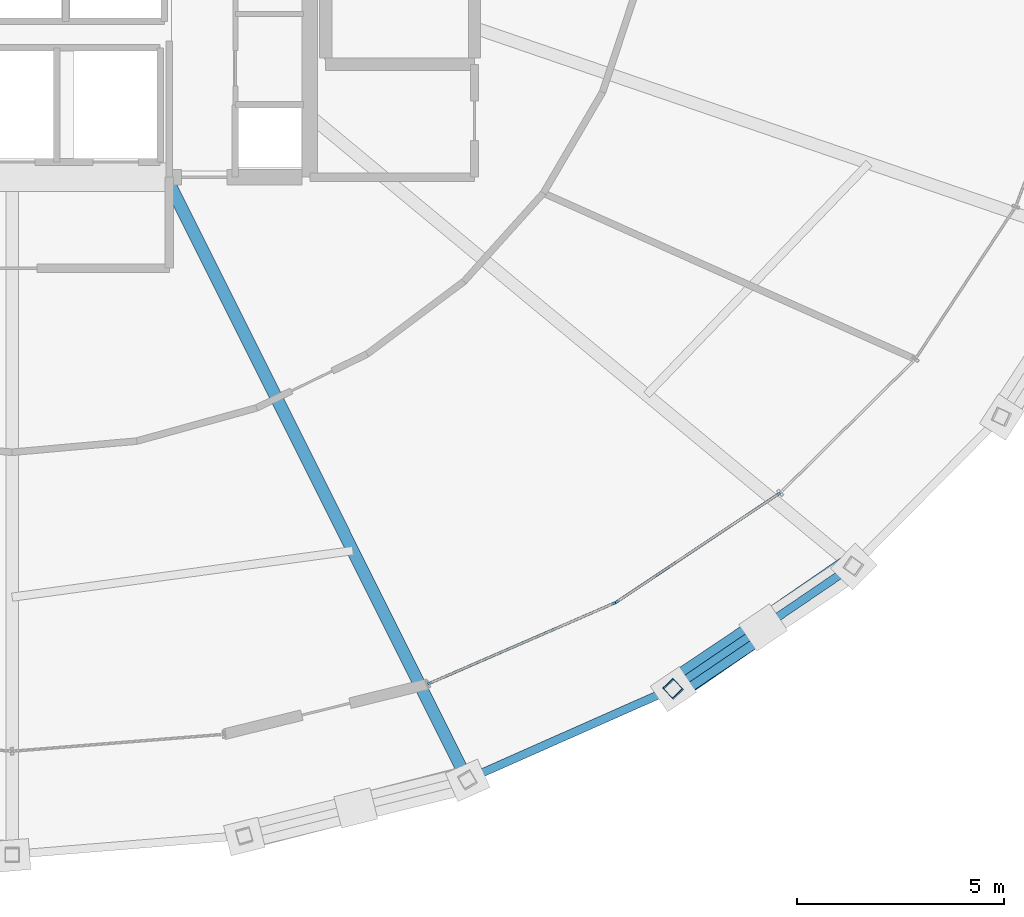
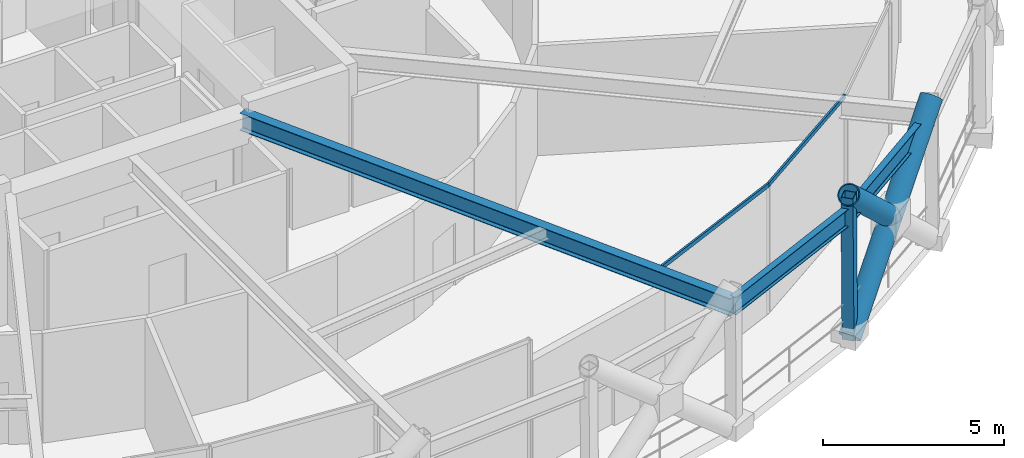
# One storey, part 12 of 39: 5 members, 3 beams, 1 element without a shape of its own.
"""IFC4 building model written with IfcOpenShell, lengths in metres."""

from ifc_helpers import new_model, si_unit, direction, frame, origin, origin_2d, place, context, subcontext, project, spatial, hollow_rectangle, hollow_circle, i_section, extrude, material, layer, layer_set, material_profile, profile_set, type_object, element, aggregate, save


model = new_model("IFC4")

# Units and contexts
model_context = context("Model", 3, precision=1e-05, world=origin(), true_north=direction((0.0, 1.0)))
body_context = subcontext(model_context, "Body", "Model", "MODEL_VIEW")
ifc_project = project(units=[si_unit("LENGTHUNIT", "METRE"), si_unit("AREAUNIT", "SQUARE_METRE"), si_unit("VOLUMEUNIT", "CUBIC_METRE"), si_unit("PLANEANGLEUNIT", "RADIAN"), si_unit("MASSUNIT", "GRAM", prefix="KILO")], contexts=[model_context])

# Site, building, storey
site_placement = place(None, origin())
site = spatial("IfcSite", under=ifc_project, at=site_placement, CompositionType="ELEMENT")
building_placement = place(site_placement, origin())
building = spatial("IfcBuilding", under=site, at=building_placement, Name="Veldorina Hangang Commons", CompositionType="ELEMENT")
storey_placement = place(building_placement, frame((0.0, 0.0, 106.0)))
storey = spatial("IfcBuildingStorey", under=building, at=storey_placement, Name="L27", CompositionType="ELEMENT", Elevation=106.0)

# Beams
ifc_material_1 = material(Name="Steel SM460-TMC", Category="steel")
ifc_material_profile_1 = material_profile(ifc_material_1, i_section(OverallWidth=0.300048828125, OverallDepth=0.587890625, WebThickness=0.011962890625, FlangeThickness=0.02001953125, FilletRadius=0.01806640625, at=origin_2d()), Name="H-588x300x12x20")
ifc_profile_set_1 = profile_set([ifc_material_profile_1], Name="Steel SM460-TMC")
beam_type_1 = type_object("IfcBeamType", Name="BM-FG588", PredefinedType="BEAM", material=ifc_profile_set_1)
beam_1_placement = place(storey_placement, frame((35.723876953125, 16.550048828125, 4.14599609375), z_axis=(0.447087617095, -0.894490169113, 0.0), x_axis=(0.894490169113, 0.447087617095, 0.0)))
element("IfcBeam", 1, at=beam_1_placement, inside=storey, type_object=beam_type_1, Name="L27 radial floor girder 14", PredefinedType="BEAM", context=body_context, shape_type="SweptSolid", body=[
    extrude(i_section(OverallWidth=0.300048828125, OverallDepth=0.587890625, WebThickness=0.011962890625, FlangeThickness=0.02001953125, FilletRadius=0.01806640625, at=origin_2d()), origin(), (0.0, 0.0, 1.0), 16.279296875),
])
ifc_material_2 = material(Name="Steel SM420-TMC", Category="steel")
ifc_material_profile_2 = material_profile(ifc_material_2, i_section(OverallWidth=0.199951171875, OverallDepth=0.60009765625, WebThickness=0.010986328125, FlangeThickness=0.01708984375, FilletRadius=0.01806640625, at=origin_2d()), Name="H-600x200x11x17")
ifc_profile_set_2 = profile_set([ifc_material_profile_2], Name="Steel SM420-TMC")
beam_type_2 = type_object("IfcBeamType", Name="BM-RB600", PredefinedType="BEAM", material=ifc_profile_set_2)
beam_2_placement = place(storey_placement, frame((43.002197265625, 1.98828125, 4.139892578125), z_axis=(0.914309006234, 0.405017334343, 0.0), x_axis=(-0.405017334343, 0.914309006234, 0.0)))
element("IfcBeam", 2, at=beam_2_placement, inside=storey, type_object=beam_type_2, Name="L27 perimeter hoop ring beam 26", PredefinedType="BEAM", context=body_context, shape_type="SweptSolid", body=[
    extrude(i_section(OverallWidth=0.199951171875, OverallDepth=0.60009765625, WebThickness=0.010986328125, FlangeThickness=0.01708984375, FilletRadius=0.01806640625, at=origin_2d()), origin(), (0.0, 0.0, 1.0), 5.4365234375),
])
beam_3_placement = place(storey_placement, frame((47.972900390625, 4.190185546875, 4.139892578125), z_axis=(0.826896335744, 0.562354381092, 0.0), x_axis=(-0.562354381092, 0.826896335744, 0.0)))
element("IfcBeam", 3, at=beam_3_placement, inside=storey, type_object=beam_type_2, Name="L27 perimeter hoop ring beam 27", PredefinedType="BEAM", context=body_context, shape_type="SweptSolid", body=[
    extrude(i_section(OverallWidth=0.199951171875, OverallDepth=0.60009765625, WebThickness=0.010986328125, FlangeThickness=0.01708984375, FilletRadius=0.01806640625, at=origin_2d()), origin(), (0.0, 0.0, 1.0), 5.268798828125),
])

# Curtain wall, members
ifc_material_3 = material(Name="Glass Acoustic Laminated", Category="glass")
ifc_layer = layer(ifc_material_3, 0.179931640625)
ifc_layer_set = layer_set([ifc_layer], Name="Glass Acoustic Laminated")
curtain_wall_type = type_object("IfcCurtainWallType", Name="CW-SYS-SKY", PredefinedType="NOTDEFINED", material=ifc_layer_set)
curtain_wall_placement = place(storey_placement, origin())
curtain_wall = element("IfcCurtainWall", 4, at=curtain_wall_placement, inside=storey, type_object=curtain_wall_type, Name="L27 unitised curtain wall CW-L27-R12", PredefinedType="NOTDEFINED")
ifc_material_4 = material(Name="Aluminium Anodized AA6063-T6", Category="aluminium")
ifc_material_profile_3 = material_profile(ifc_material_4, hollow_rectangle(XDim=0.06005859375, YDim=0.139892578125, WallThickness=0.00341796875, at=origin_2d()), Name="ALU-RHS-140x60x3.5")
ifc_profile_set_3 = profile_set([ifc_material_profile_3], Name="Aluminium Anodized AA6063-T6")
member_type_1 = type_object("IfcMemberType", Name="CW-TRN-140", PredefinedType="USERDEFINED", material=ifc_profile_set_3)
member_1_placement = place(storey_placement, frame((42.05029296875, 4.29541015625, 4.360107421875), z_axis=(0.917305923729, 0.398183176807, 0.0), x_axis=(-0.398183176807, 0.917305923729, 0.0)))
member_1 = element("IfcMember", 5, at=member_1_placement, type_object=member_type_1, Name="CW-L27-R12 facet 1 transom 1", ObjectType="TRANSOM", PredefinedType="USERDEFINED", context=body_context, shape_type="SweptSolid", body=[
    extrude(hollow_rectangle(XDim=0.06005859375, YDim=0.139892578125, WallThickness=0.00341796875, at=origin_2d()), origin(), (0.0, 0.0, 1.0), 4.949951171875),
])
member_2_placement = place(storey_placement, frame((46.5908203125, 6.266357421875, 4.360107421875), z_axis=(0.832144520265, 0.554558831319, 0.0), x_axis=(-0.554558831319, 0.832144520265, 0.0)))
member_2 = element("IfcMember", 6, at=member_2_placement, type_object=member_type_1, Name="CW-L27-R12 facet 2 transom 1", ObjectType="TRANSOM", PredefinedType="USERDEFINED", context=body_context, shape_type="SweptSolid", body=[
    extrude(hollow_rectangle(XDim=0.06005859375, YDim=0.139892578125, WallThickness=0.00341796875, at=origin_2d()), origin(), (0.0, 0.0, 1.0), 4.78271484375),
])
aggregate(curtain_wall, [member_1, member_2])

# Members
ifc_material_profile_4 = material_profile(ifc_material_1, hollow_circle(Radius=0.324951171875, WallThickness=0.031982421875, at=origin_2d()), Name="CHS-650x32")
ifc_profile_set_4 = profile_set([ifc_material_profile_4], Name="Steel SM460-TMC")
member_type_2 = type_object("IfcMemberType", Name="DG-CHS650", PredefinedType="BRACE", material=ifc_profile_set_4)
member_3_placement = place(storey_placement, frame((47.990966796875, 4.1708984375, 0.0), z_axis=(0.608567345476, 0.418998411717, 0.673859122517), x_axis=(-0.567087803966, 0.823657345376, 0.0)))
element("IfcMember", 7, at=member_3_placement, inside=storey, type_object=member_type_2, Name="L27 continuous perimeter diagrid brace 27", PredefinedType="BRACE", context=body_context, shape_type="SweptSolid", body=[
    extrude(hollow_circle(Radius=0.324951171875, WallThickness=0.031982421875, at=origin_2d()), origin(), (0.0, 0.0, 1.0), 7.123291015625),
])
member_4_placement = place(storey_placement, frame((50.159912109375, 5.664306640625, 2.401611328125), z_axis=(-0.614204144345, -0.412619194406, 0.672680213383), x_axis=(0.557643747824, -0.830080387982, 0.0)))
element("IfcMember", 8, at=member_4_placement, inside=storey, type_object=member_type_2, Name="L27 split perimeter diagrid upper brace 28", PredefinedType="BRACE", context=body_context, shape_type="SweptSolid", body=[
    extrude(hollow_circle(Radius=0.324951171875, WallThickness=0.031982421875, at=origin_2d()), origin(), (0.0, 0.0, 1.0), 3.5654296875),
])
ifc_material_5 = material(Name="Steel SM355-TMC", Category="steel")
ifc_material_profile_5 = material_profile(ifc_material_5, hollow_rectangle(XDim=0.35009765625, YDim=0.35009765625, WallThickness=0.01611328125, at=origin_2d()), Name="SHS-350x350x16")
ifc_profile_set_5 = profile_set([ifc_material_profile_5], Name="Steel SM355-TMC")
member_type_3 = type_object("IfcMemberType", Name="STR-SHS350", PredefinedType="STRUT", material=ifc_profile_set_5)
member_5_placement = place(storey_placement, frame((47.990966796875, 4.1708984375, 0.0), z_axis=(-0.004374053006, 0.004628358414, 0.999979722774), x_axis=(-0.726791623273, -0.686858017599, 0.0)))
element("IfcMember", 9, at=member_5_placement, inside=storey, type_object=member_type_3, Name="L27 perimeter ring node post 27", PredefinedType="STRUT", context=body_context, shape_type="SweptSolid", body=[
    extrude(hollow_rectangle(XDim=0.35009765625, YDim=0.35009765625, WallThickness=0.01611328125, at=origin_2d()), origin(), (0.0, 0.0, 1.0), 4.800048828125),
])

save(model, "model.ifc")
